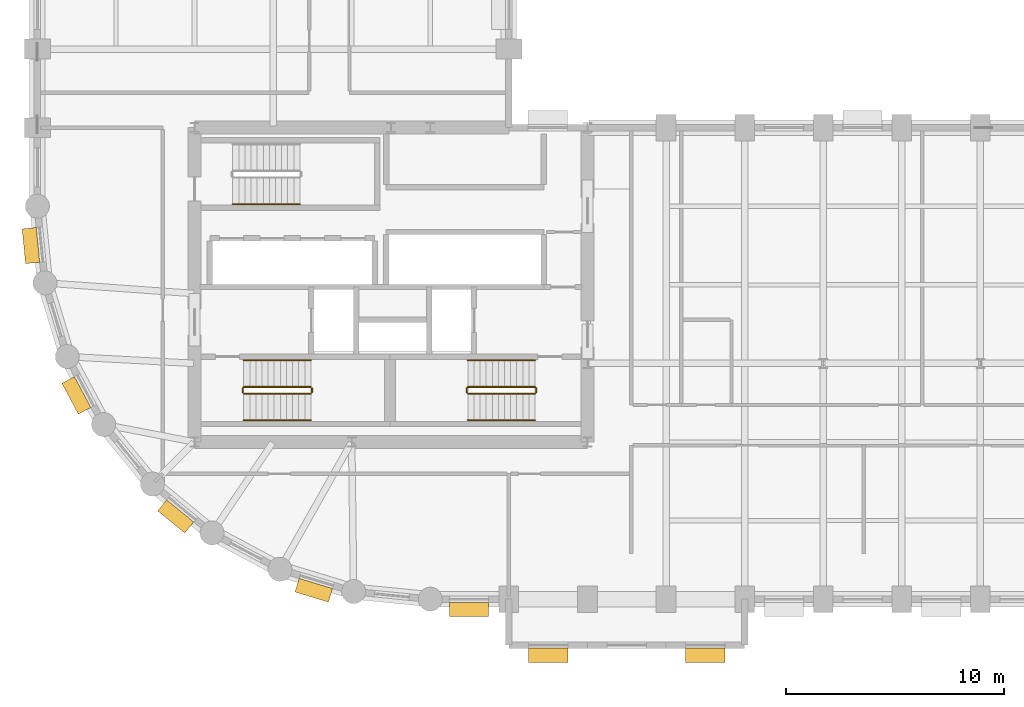
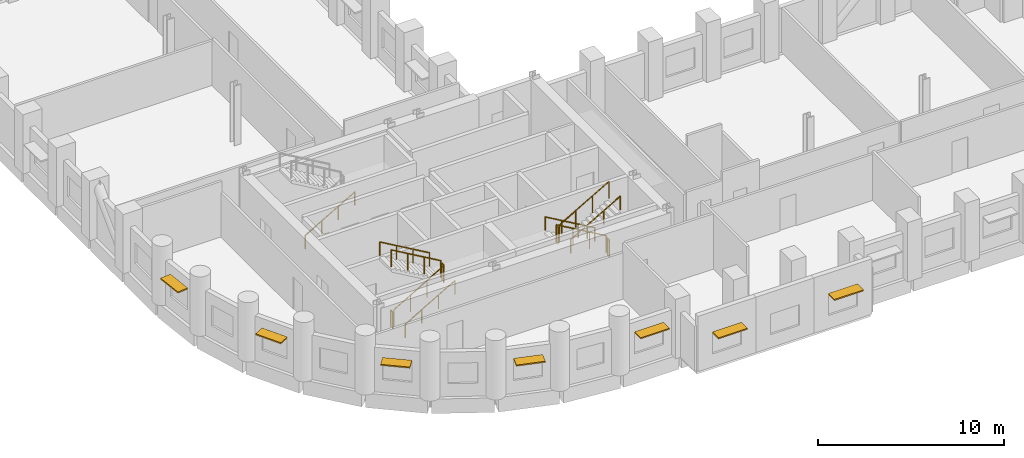
# One storey, part 10 of 12: 13 railings, 7 shading devices.
"""IFC4 building model written with IfcOpenShell, lengths in metres."""

from ifc_helpers import new_model, si_unit, direction, frame, origin, origin_2d, place, context, subcontext, project, spatial, rectangle, circle, extrude, material, layer, layer_set, type_object, element, save


model = new_model("IFC4")

# Units and contexts
model_context = context("Model", 3, precision=1e-05, world=origin(), true_north=direction((0.0, 1.0)))
body_context = subcontext(model_context, "Body", "Model", "MODEL_VIEW")
ifc_project = project(units=[si_unit("LENGTHUNIT", "METRE"), si_unit("AREAUNIT", "SQUARE_METRE"), si_unit("VOLUMEUNIT", "CUBIC_METRE"), si_unit("PLANEANGLEUNIT", "RADIAN"), si_unit("MASSUNIT", "GRAM", prefix="KILO")], contexts=[model_context])

# Site, building, storey
site_placement = place(None, origin())
site = spatial("IfcSite", under=ifc_project, at=site_placement, CompositionType="ELEMENT")
building_placement = place(site_placement, origin())
building = spatial("IfcBuilding", under=site, at=building_placement, Name="Solnavia Interchange Tower", CompositionType="ELEMENT")
storey_placement = place(building_placement, frame((0.0, 0.0, 31.800048828125)))
storey = spatial("IfcBuildingStorey", under=building, at=storey_placement, Name="L07", CompositionType="ELEMENT", Elevation=31.800048828125)

# Railings
ifc_material_1 = material(Name="Painted Steel Balustrade", Category="steel")
railing_type_1 = type_object("IfcRailingType", Name="Railing-StairGuard-1100", PredefinedType="GUARDRAIL", material=ifc_material_1)
railing_1_placement = place(storey_placement, frame((16.64990234375, 13.02001953125, 0.162353515625)))
element("IfcRailing", 1, at=railing_1_placement, inside=storey, type_object=railing_type_1, Name="L07 ST-1 stair guard 1", PredefinedType="GUARDRAIL", context=body_context, shape_type="SweptSolid", body=[
    extrude(circle(Radius=0.02392578125, at=origin_2d()), frame((0.0, 0.0, 1.09619140625), z_axis=(0.864890721111, 0.0, 0.501960198159), x_axis=(0.0, 1.0, 0.0)), (0.0, 0.0, 1.0), 3.561279296875),
    extrude(circle(Radius=0.02099609375, at=origin_2d()), origin(), (0.0, 0.0, 1.0), 1.072021484375),
    extrude(circle(Radius=0.02099609375, at=origin_2d()), frame((1.026611328125, 0.0, 0.595947265625)), (0.0, 0.0, 1.0), 1.072021484375),
    extrude(circle(Radius=0.02099609375, at=origin_2d()), frame((2.053466796875, 0.0, 1.191650390625)), (0.0, 0.0, 1.0), 1.072021484375),
    extrude(circle(Radius=0.02099609375, at=origin_2d()), frame((3.080078125, 0.0, 1.78759765625)), (0.0, 0.0, 1.0), 1.072021484375),
])
railing_2_placement = place(storey_placement, frame((19.780029296875, 13.070068359375, 1.949951171875)))
element("IfcRailing", 2, at=railing_2_placement, inside=storey, type_object=railing_type_1, Name="L07 ST-1 stair guard 2", PredefinedType="GUARDRAIL", context=body_context, shape_type="SweptSolid", body=[
    extrude(circle(Radius=0.02392578125, at=origin_2d()), frame((0.0, 0.0, 1.09619140625), z_axis=(0.0, 1.0, 0.0), x_axis=(-1.0, 0.0, 0.0)), (0.0, 0.0, 1.0), 0.199951171875),
    extrude(circle(Radius=0.02099609375, at=origin_2d()), origin(), (0.0, 0.0, 1.0), 1.072021484375),
    extrude(circle(Radius=0.02099609375, at=origin_2d()), frame((0.0, 0.199951171875, 0.0)), (0.0, 0.0, 1.0), 1.072021484375),
])
railing_3_placement = place(storey_placement, frame((19.72998046875, 13.320068359375, 2.112548828125)))
element("IfcRailing", 3, at=railing_3_placement, inside=storey, type_object=railing_type_1, Name="L07 ST-1 stair guard 3", PredefinedType="GUARDRAIL", context=body_context, shape_type="SweptSolid", body=[
    extrude(circle(Radius=0.02392578125, at=origin_2d()), frame((0.0, 0.0, 1.09619140625), z_axis=(-0.864920483161, 0.0, 0.501908913857), x_axis=(0.0, -1.0, 0.0)), (0.0, 0.0, 1.0), 3.56103515625),
    extrude(circle(Radius=0.02099609375, at=origin_2d()), origin(), (0.0, 0.0, 1.0), 1.072021484375),
    extrude(circle(Radius=0.02099609375, at=origin_2d()), frame((-1.026611328125, 0.0, 0.595703125)), (0.0, 0.0, 1.0), 1.072021484375),
    extrude(circle(Radius=0.02099609375, at=origin_2d()), frame((-2.053466796875, 0.0, 1.191650390625)), (0.0, 0.0, 1.0), 1.072021484375),
    extrude(circle(Radius=0.02099609375, at=origin_2d()), frame((-3.080078125, 0.0, 1.787353515625)), (0.0, 0.0, 1.0), 1.072021484375),
])
railing_4_placement = place(storey_placement, frame((16.60009765625, 13.070068359375, 0.0)))
element("IfcRailing", 4, at=railing_4_placement, inside=storey, type_object=railing_type_1, Name="L07 ST-1 stair guard 4", PredefinedType="GUARDRAIL", context=body_context, shape_type="SweptSolid", body=[
    extrude(circle(Radius=0.02392578125, at=origin_2d()), frame((0.0, 0.0, 1.09619140625), z_axis=(0.0, 1.0, 0.0), x_axis=(-1.0, 0.0, 0.0)), (0.0, 0.0, 1.0), 0.199951171875),
    extrude(circle(Radius=0.02099609375, at=origin_2d()), origin(), (0.0, 0.0, 1.0), 1.072021484375),
    extrude(circle(Radius=0.02099609375, at=origin_2d()), frame((0.0, 0.199951171875, 0.0)), (0.0, 0.0, 1.0), 1.072021484375),
])
railing_5_placement = place(storey_placement, frame((30.0, 13.320068359375, 0.162353515625)))
element("IfcRailing", 5, at=railing_5_placement, inside=storey, type_object=railing_type_1, Name="L07 ST-2 stair guard 1", PredefinedType="GUARDRAIL", context=body_context, shape_type="SweptSolid", body=[
    extrude(circle(Radius=0.02392578125, at=origin_2d()), frame((0.0, 0.0, 1.09619140625), z_axis=(-0.864890721111, 0.0, 0.501960198159), x_axis=(0.0, -1.0, 0.0)), (0.0, 0.0, 1.0), 3.561279296875),
    extrude(circle(Radius=0.02099609375, at=origin_2d()), origin(), (0.0, 0.0, 1.0), 1.072021484375),
    extrude(circle(Radius=0.02099609375, at=origin_2d()), frame((-1.026611328125, 0.0, 0.595947265625)), (0.0, 0.0, 1.0), 1.072021484375),
    extrude(circle(Radius=0.02099609375, at=origin_2d()), frame((-2.053466796875, 0.0, 1.191650390625)), (0.0, 0.0, 1.0), 1.072021484375),
    extrude(circle(Radius=0.02099609375, at=origin_2d()), frame((-3.080078125, 0.0, 1.78759765625)), (0.0, 0.0, 1.0), 1.072021484375),
])
railing_6_placement = place(storey_placement, frame((26.8701171875, 13.27001953125, 1.949951171875)))
element("IfcRailing", 6, at=railing_6_placement, inside=storey, type_object=railing_type_1, Name="L07 ST-2 stair guard 2", PredefinedType="GUARDRAIL", context=body_context, shape_type="SweptSolid", body=[
    extrude(circle(Radius=0.02392578125, at=origin_2d()), frame((0.0, 0.0, 1.09619140625), z_axis=(0.0, -1.0, 0.0), x_axis=(1.0, 0.0, 0.0)), (0.0, 0.0, 1.0), 0.199951171875),
    extrude(circle(Radius=0.02099609375, at=origin_2d()), origin(), (0.0, 0.0, 1.0), 1.072021484375),
    extrude(circle(Radius=0.02099609375, at=origin_2d()), frame((0.0, -0.199951171875, 0.0)), (0.0, 0.0, 1.0), 1.072021484375),
])
railing_7_placement = place(storey_placement, frame((26.919921875, 13.02001953125, 2.112548828125)))
element("IfcRailing", 7, at=railing_7_placement, inside=storey, type_object=railing_type_1, Name="L07 ST-2 stair guard 3", PredefinedType="GUARDRAIL", context=body_context, shape_type="SweptSolid", body=[
    extrude(circle(Radius=0.02392578125, at=origin_2d()), frame((0.0, 0.0, 1.09619140625), z_axis=(0.864920483161, 0.0, 0.501908913857), x_axis=(0.0, 1.0, 0.0)), (0.0, 0.0, 1.0), 3.56103515625),
    extrude(circle(Radius=0.02099609375, at=origin_2d()), origin(), (0.0, 0.0, 1.0), 1.072021484375),
    extrude(circle(Radius=0.02099609375, at=origin_2d()), frame((1.026611328125, 0.0, 0.595703125)), (0.0, 0.0, 1.0), 1.072021484375),
    extrude(circle(Radius=0.02099609375, at=origin_2d()), frame((2.053466796875, 0.0, 1.191650390625)), (0.0, 0.0, 1.0), 1.072021484375),
    extrude(circle(Radius=0.02099609375, at=origin_2d()), frame((3.080078125, 0.0, 1.787353515625)), (0.0, 0.0, 1.0), 1.072021484375),
])
railing_8_placement = place(storey_placement, frame((30.050048828125, 13.27001953125, 0.0)))
element("IfcRailing", 8, at=railing_8_placement, inside=storey, type_object=railing_type_1, Name="L07 ST-2 stair guard 4", PredefinedType="GUARDRAIL", context=body_context, shape_type="SweptSolid", body=[
    extrude(circle(Radius=0.02392578125, at=origin_2d()), frame((0.0, 0.0, 1.09619140625), z_axis=(0.0, -1.0, 0.0), x_axis=(1.0, 0.0, 0.0)), (0.0, 0.0, 1.0), 0.199951171875),
    extrude(circle(Radius=0.02099609375, at=origin_2d()), origin(), (0.0, 0.0, 1.0), 1.072021484375),
    extrude(circle(Radius=0.02099609375, at=origin_2d()), frame((0.0, -0.199951171875, 0.0)), (0.0, 0.0, 1.0), 1.072021484375),
])
ifc_material_2 = material(Name="Brushed Stainless Steel", Category="steel")
railing_type_2 = type_object("IfcRailingType", Name="Railing-StairHandrail-900", PredefinedType="HANDRAIL", material=ifc_material_2)
railing_9_placement = place(storey_placement, frame((16.64990234375, 11.800048828125, 0.162353515625)))
element("IfcRailing", 9, at=railing_9_placement, inside=storey, type_object=railing_type_2, Name="L07 ST-1 stair handrail 1", PredefinedType="HANDRAIL", context=body_context, shape_type="SweptSolid", body=[
    extrude(circle(Radius=0.02392578125, at=origin_2d()), frame((0.0, 0.0, 0.8759765625), z_axis=(0.864890721111, 0.0, 0.501960198159), x_axis=(0.0, 1.0, 0.0)), (0.0, 0.0, 1.0), 3.561279296875),
    extrude(circle(Radius=0.02099609375, at=origin_2d()), origin(), (0.0, 0.0, 1.0), 0.851806640625),
    extrude(circle(Radius=0.02099609375, at=origin_2d()), frame((1.026611328125, 0.0, 0.595947265625)), (0.0, 0.0, 1.0), 0.851806640625),
    extrude(circle(Radius=0.02099609375, at=origin_2d()), frame((2.053466796875, 0.0, 1.191650390625)), (0.0, 0.0, 1.0), 0.851806640625),
    extrude(circle(Radius=0.02099609375, at=origin_2d()), frame((3.080078125, 0.0, 1.78759765625)), (0.0, 0.0, 1.0), 0.851806640625),
])
railing_10_placement = place(storey_placement, frame((19.72998046875, 14.5400390625, 2.112548828125)))
element("IfcRailing", 10, at=railing_10_placement, inside=storey, type_object=railing_type_2, Name="L07 ST-1 stair handrail 2", PredefinedType="HANDRAIL", context=body_context, shape_type="SweptSolid", body=[
    extrude(circle(Radius=0.02392578125, at=origin_2d()), frame((0.0, 0.0, 0.8759765625), z_axis=(-0.864920483161, 0.0, 0.501908913857), x_axis=(0.0, -1.0, 0.0)), (0.0, 0.0, 1.0), 3.56103515625),
    extrude(circle(Radius=0.02099609375, at=origin_2d()), origin(), (0.0, 0.0, 1.0), 0.851806640625),
    extrude(circle(Radius=0.02099609375, at=origin_2d()), frame((-1.026611328125, 0.0, 0.595703125)), (0.0, 0.0, 1.0), 0.851806640625),
    extrude(circle(Radius=0.02099609375, at=origin_2d()), frame((-2.053466796875, 0.0, 1.191650390625)), (0.0, 0.0, 1.0), 0.851806640625),
    extrude(circle(Radius=0.02099609375, at=origin_2d()), frame((-3.080078125, 0.0, 1.787353515625)), (0.0, 0.0, 1.0), 0.851806640625),
])
railing_11_placement = place(storey_placement, frame((30.0, 14.5400390625, 0.162353515625)))
element("IfcRailing", 11, at=railing_11_placement, inside=storey, type_object=railing_type_2, Name="L07 ST-2 stair handrail 1", PredefinedType="HANDRAIL", context=body_context, shape_type="SweptSolid", body=[
    extrude(circle(Radius=0.02392578125, at=origin_2d()), frame((0.0, 0.0, 0.8759765625), z_axis=(-0.864890721111, 0.0, 0.501960198159), x_axis=(0.0, -1.0, 0.0)), (0.0, 0.0, 1.0), 3.561279296875),
    extrude(circle(Radius=0.02099609375, at=origin_2d()), origin(), (0.0, 0.0, 1.0), 0.851806640625),
    extrude(circle(Radius=0.02099609375, at=origin_2d()), frame((-1.026611328125, 0.0, 0.595947265625)), (0.0, 0.0, 1.0), 0.851806640625),
    extrude(circle(Radius=0.02099609375, at=origin_2d()), frame((-2.053466796875, 0.0, 1.191650390625)), (0.0, 0.0, 1.0), 0.851806640625),
    extrude(circle(Radius=0.02099609375, at=origin_2d()), frame((-3.080078125, 0.0, 1.78759765625)), (0.0, 0.0, 1.0), 0.851806640625),
])
railing_12_placement = place(storey_placement, frame((26.919921875, 11.800048828125, 2.112548828125)))
element("IfcRailing", 12, at=railing_12_placement, inside=storey, type_object=railing_type_2, Name="L07 ST-2 stair handrail 2", PredefinedType="HANDRAIL", context=body_context, shape_type="SweptSolid", body=[
    extrude(circle(Radius=0.02392578125, at=origin_2d()), frame((0.0, 0.0, 0.8759765625), z_axis=(0.864920483161, 0.0, 0.501908913857), x_axis=(0.0, 1.0, 0.0)), (0.0, 0.0, 1.0), 3.56103515625),
    extrude(circle(Radius=0.02099609375, at=origin_2d()), origin(), (0.0, 0.0, 1.0), 0.851806640625),
    extrude(circle(Radius=0.02099609375, at=origin_2d()), frame((1.026611328125, 0.0, 0.595703125)), (0.0, 0.0, 1.0), 0.851806640625),
    extrude(circle(Radius=0.02099609375, at=origin_2d()), frame((2.053466796875, 0.0, 1.191650390625)), (0.0, 0.0, 1.0), 0.851806640625),
    extrude(circle(Radius=0.02099609375, at=origin_2d()), frame((3.080078125, 0.0, 1.787353515625)), (0.0, 0.0, 1.0), 0.851806640625),
])
railing_13_placement = place(storey_placement, frame((16.14990234375, 21.699951171875, 0.162353515625)))
element("IfcRailing", 13, at=railing_13_placement, inside=storey, type_object=railing_type_2, Name="L07 ST-3 stair handrail 1", PredefinedType="HANDRAIL", context=body_context, shape_type="SweptSolid", body=[
    extrude(circle(Radius=0.02392578125, at=origin_2d()), frame((0.0, 0.0, 0.8759765625), z_axis=(0.864890721111, 0.0, 0.501960198159), x_axis=(0.0, 1.0, 0.0)), (0.0, 0.0, 1.0), 3.561279296875),
    extrude(circle(Radius=0.02099609375, at=origin_2d()), origin(), (0.0, 0.0, 1.0), 0.851806640625),
    extrude(circle(Radius=0.02099609375, at=origin_2d()), frame((1.026611328125, 0.0, 0.595947265625)), (0.0, 0.0, 1.0), 0.851806640625),
    extrude(circle(Radius=0.02099609375, at=origin_2d()), frame((2.053466796875, 0.0, 1.191650390625)), (0.0, 0.0, 1.0), 0.851806640625),
    extrude(circle(Radius=0.02099609375, at=origin_2d()), frame((3.080078125, 0.0, 1.78759765625)), (0.0, 0.0, 1.0), 0.851806640625),
])

# Shading devices
ifc_material_3 = material(Name="Anodised Aluminium Sunshade", Category="aluminium")
ifc_layer = layer(ifc_material_3, 0.080078125)
ifc_layer_set = layer_set([ifc_layer], Name="Anodised Aluminium Sunshade")
shading_device_type = type_object("IfcShadingDeviceType", Name="Sunshade-Band-650", PredefinedType="SHUTTER", material=ifc_layer_set)
for number, where, z_axis, x_axis, name in (
    (14, (26.97509765625, 3.1298828125, 2.219970703125), (0.0, 0.0, 1.0), (-1.0, 0.0, 0.0), "SHD-L07-01 Horizontal sunshade band"),
    (15, (30.60009765625, 1.030029296875, 2.219970703125), (0.0, 0.0, 1.0), (-1.0, 0.0, 0.0), "SHD-L07-03 Horizontal sunshade band"),
    (16, (37.800048828125, 1.030029296875, 2.219970703125), (0.0, 0.0, 1.0), (-1.0, 0.0, 0.0), "SHD-L07-05 Horizontal sunshade band"),
):
    element("IfcShadingDevice", number, at=place(storey_placement, frame(where, z_axis=z_axis, x_axis=x_axis)), inside=storey, type_object=shading_device_type, Name=name, PredefinedType="SHUTTER", context=body_context, shape_type="SweptSolid", body=[
        extrude(rectangle(XDim=1.800048828125, YDim=0.64990234375, at=origin_2d()), origin(), (0.0, 0.0, 1.0), 0.080078125),
    ])
for number, where, z_axis, x_axis, name in (
    (17, (6.9052734375, 19.79833984375, 2.219970703125), (0.0, 0.0, 1.0), (-0.098103986207, 0.995176169274, 0.0), "SHD-L07-57 Horizontal sunshade band"),
    (18, (8.98779296875, 12.93408203125, 2.219970703125), (0.0, 0.0, 1.0), (-0.47147369718, 0.881880123865, 0.0), "SHD-L07-59 Horizontal sunshade band"),
    (19, (13.5380859375, 7.389404296875, 2.219970703125), (0.0, 0.0, 1.0), (-0.773176510644, 0.634190888762, 0.0), "SHD-L07-61 Horizontal sunshade band"),
    (20, (19.863525390625, 4.00830078125, 2.219970703125), (0.0, 0.0, 1.0), (-0.956965664205, 0.290201167351, 0.0), "SHD-L07-63 Horizontal sunshade band"),
):
    element("IfcShadingDevice", number, at=place(storey_placement, frame(where, z_axis=z_axis, x_axis=x_axis)), inside=storey, type_object=shading_device_type, Name=name, PredefinedType="SHUTTER", context=body_context, shape_type="SweptSolid", body=[
        extrude(rectangle(XDim=1.60009765625, YDim=0.64990234375, at=origin_2d()), origin(), (0.0, 0.0, 1.0), 0.080078125),
    ])

save(model, "model.ifc")
